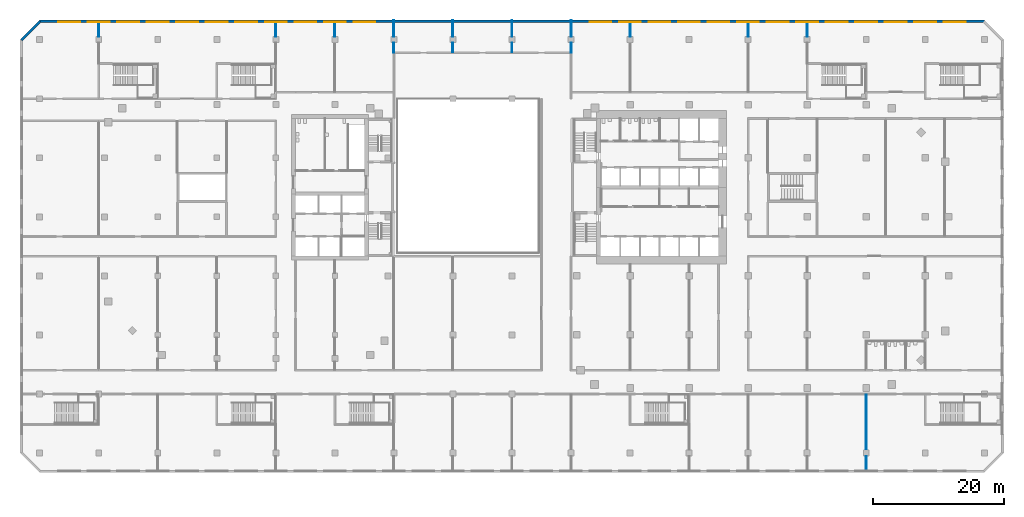
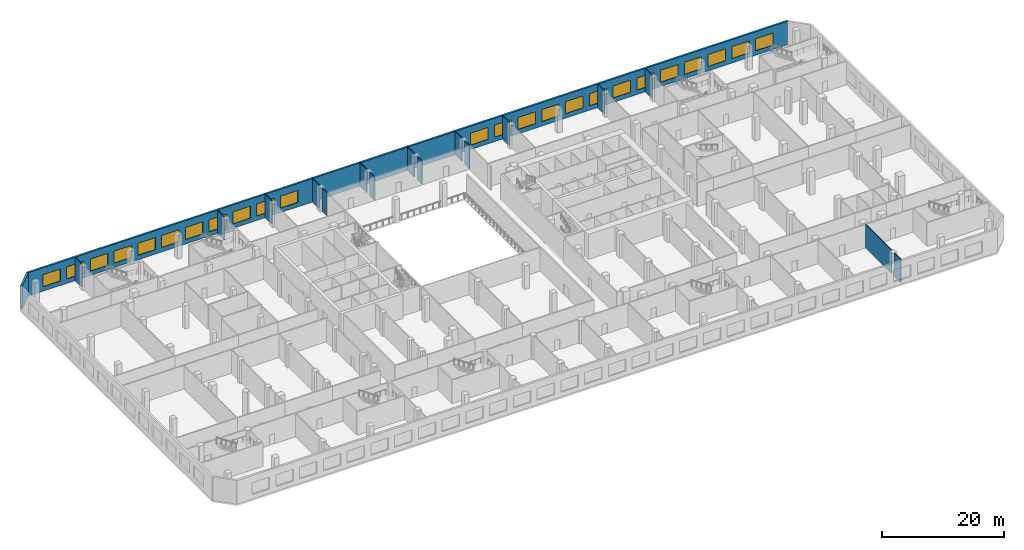
# One storey, part 12 of 21: 24 windows, 18 walls, 24 openings.
"""IFC4 building model written with IfcOpenShell, lengths in metres."""

from ifc_helpers import new_model, si_unit, direction, frame, frame_2d, origin, place, context, subcontext, project, spatial, rectangle, extrude, material, layer, layer_set, type_object, element, fill, save


model = new_model("IFC4")

# Units and contexts
model_context = context("Model", 3, precision=1e-05, world=origin(), true_north=direction((0.0, 1.0)))
body_context = subcontext(model_context, "Body", "Model", "MODEL_VIEW")
ifc_project = project(units=[si_unit("LENGTHUNIT", "METRE"), si_unit("AREAUNIT", "SQUARE_METRE"), si_unit("VOLUMEUNIT", "CUBIC_METRE"), si_unit("PLANEANGLEUNIT", "RADIAN"), si_unit("MASSUNIT", "GRAM", prefix="KILO")], contexts=[model_context])

# Site, building, storey
site_placement = place(None, origin())
site = spatial("IfcSite", under=ifc_project, at=site_placement, CompositionType="ELEMENT")
building_placement = place(site_placement, origin())
building = spatial("IfcBuilding", under=site, at=building_placement, Name="Cinnabar Reach Civic Tower", CompositionType="ELEMENT")
storey_placement = place(building_placement, frame((0.0, 0.0, 16.0)))
storey = spatial("IfcBuildingStorey", under=building, at=storey_placement, Name="L03", CompositionType="ELEMENT", Elevation=16.0)

# Wall
ifc_material_1 = material(Name="Facing brick with insulated backing", Category="masonry")
ifc_layer_1 = layer(ifc_material_1, 0.36)
ifc_layer_set_1 = layer_set([ifc_layer_1], Name="Brick corner wall")
wall_type_1 = type_object("IfcWallType", Name="Brick corner wall", PredefinedType="STANDARD", material=ifc_layer_set_1)
wall_1_placement = place(storey_placement, frame((-80.9611, 56.7843, 0.0), z_axis=(0.0, 0.0, 1.0), x_axis=(-0.707106781187, -0.707106781187, 0.0)))
element("IfcWall", 1, at=wall_1_placement, inside=storey, type_object=wall_type_1, Name="Brick corner wall", PredefinedType="STANDARD", context=body_context, shape_type="SweptSolid", body=[
    extrude(rectangle(XDim=3.9926, YDim=0.36, at=frame_2d((1.9963, 0.0))), origin(), (0.0, 0.0, 1.0), 4.7),
])

# Wall, openings, windows
ifc_layer_2 = layer(ifc_material_1, 0.36)
ifc_layer_set_2 = layer_set([ifc_layer_2], Name="Brick pier and spandrel wall")
wall_type_2 = type_object("IfcWallType", Name="Brick pier and spandrel wall", PredefinedType="STANDARD", material=ifc_layer_set_2)
wall_2_placement = place(storey_placement, frame((63.0, 56.82, 0.0), z_axis=(0.0, 0.0, 1.0), x_axis=(-1.0, 0.0, 0.0)))
wall_2 = element("IfcWall", 2, at=wall_2_placement, inside=storey, type_object=wall_type_2, Name="Brick facade wall", PredefinedType="STANDARD", context=body_context, shape_type="SweptSolid", body=[
    extrude(rectangle(XDim=144.0, YDim=0.36, at=frame_2d((72.0, 0.0))), origin(), (0.0, 0.0, 1.0), 4.7),
])
opening_1_placement = place(wall_2_placement, frame((2.85, 0.0, 0.9)))
opening_1 = element("IfcOpeningElement", 3, at=opening_1_placement, cuts=wall_2, Name="Opening W3057", PredefinedType="OPENING", context=body_context, shape_type="SweptSolid", body=[
    extrude(rectangle(XDim=3.3, YDim=2.4, at=frame_2d((1.65, 1.2))), frame((0.0, 0.19, 0.0), z_axis=(0.0, -1.0, 0.0), x_axis=(1.0, 0.0, 0.0)), (0.0, 0.0, 1.0), 0.38),
])
opening_2_placement = place(wall_2_placement, frame((7.35, 0.0, 0.9)))
opening_2 = element("IfcOpeningElement", 4, at=opening_2_placement, cuts=wall_2, Name="Opening W3058", PredefinedType="OPENING", context=body_context, shape_type="SweptSolid", body=[
    extrude(rectangle(XDim=3.3, YDim=2.4, at=frame_2d((1.65, 1.2))), frame((0.0, 0.19, 0.0), z_axis=(0.0, -1.0, 0.0), x_axis=(1.0, 0.0, 0.0)), (0.0, 0.0, 1.0), 0.38),
])
opening_3_placement = place(wall_2_placement, frame((11.85, 0.0, 0.9)))
opening_3 = element("IfcOpeningElement", 5, at=opening_3_placement, cuts=wall_2, Name="Opening W3059", PredefinedType="OPENING", context=body_context, shape_type="SweptSolid", body=[
    extrude(rectangle(XDim=3.3, YDim=2.4, at=frame_2d((1.65, 1.2))), frame((0.0, 0.19, 0.0), z_axis=(0.0, -1.0, 0.0), x_axis=(1.0, 0.0, 0.0)), (0.0, 0.0, 1.0), 0.38),
])
opening_4_placement = place(wall_2_placement, frame((16.35, 0.0, 0.9)))
opening_4 = element("IfcOpeningElement", 6, at=opening_4_placement, cuts=wall_2, Name="Opening W3060", PredefinedType="OPENING", context=body_context, shape_type="SweptSolid", body=[
    extrude(rectangle(XDim=3.3, YDim=2.4, at=frame_2d((1.65, 1.2))), frame((0.0, 0.19, 0.0), z_axis=(0.0, -1.0, 0.0), x_axis=(1.0, 0.0, 0.0)), (0.0, 0.0, 1.0), 0.38),
])
opening_5_placement = place(wall_2_placement, frame((20.85, 0.0, 0.9)))
opening_5 = element("IfcOpeningElement", 7, at=opening_5_placement, cuts=wall_2, Name="Opening W3061", PredefinedType="OPENING", context=body_context, shape_type="SweptSolid", body=[
    extrude(rectangle(XDim=3.3, YDim=2.4, at=frame_2d((1.65, 1.2))), frame((0.0, 0.19, 0.0), z_axis=(0.0, -1.0, 0.0), x_axis=(1.0, 0.0, 0.0)), (0.0, 0.0, 1.0), 0.38),
])
opening_6_placement = place(wall_2_placement, frame((25.35, 0.0, 0.9)))
opening_6 = element("IfcOpeningElement", 8, at=opening_6_placement, cuts=wall_2, Name="Opening W3062", PredefinedType="OPENING", context=body_context, shape_type="SweptSolid", body=[
    extrude(rectangle(XDim=3.3, YDim=2.4, at=frame_2d((1.65, 1.2))), frame((0.0, 0.19, 0.0), z_axis=(0.0, -1.0, 0.0), x_axis=(1.0, 0.0, 0.0)), (0.0, 0.0, 1.0), 0.38),
])
opening_7_placement = place(wall_2_placement, frame((29.85, 0.0, 0.9)))
opening_7 = element("IfcOpeningElement", 9, at=opening_7_placement, cuts=wall_2, Name="Opening W3063", PredefinedType="OPENING", context=body_context, shape_type="SweptSolid", body=[
    extrude(rectangle(XDim=3.3, YDim=2.4, at=frame_2d((1.65, 1.2))), frame((0.0, 0.19, 0.0), z_axis=(0.0, -1.0, 0.0), x_axis=(1.0, 0.0, 0.0)), (0.0, 0.0, 1.0), 0.38),
])
opening_8_placement = place(wall_2_placement, frame((34.35, 0.0, 0.9)))
opening_8 = element("IfcOpeningElement", 10, at=opening_8_placement, cuts=wall_2, Name="Opening W3064", PredefinedType="OPENING", context=body_context, shape_type="SweptSolid", body=[
    extrude(rectangle(XDim=3.3, YDim=2.4, at=frame_2d((1.65, 1.2))), frame((0.0, 0.19, 0.0), z_axis=(0.0, -1.0, 0.0), x_axis=(1.0, 0.0, 0.0)), (0.0, 0.0, 1.0), 0.38),
])
opening_9_placement = place(wall_2_placement, frame((38.85, 0.0, 0.9)))
opening_9 = element("IfcOpeningElement", 11, at=opening_9_placement, cuts=wall_2, Name="Opening W3065", PredefinedType="OPENING", context=body_context, shape_type="SweptSolid", body=[
    extrude(rectangle(XDim=3.3, YDim=2.4, at=frame_2d((1.65, 1.2))), frame((0.0, 0.19, 0.0), z_axis=(0.0, -1.0, 0.0), x_axis=(1.0, 0.0, 0.0)), (0.0, 0.0, 1.0), 0.38),
])
opening_10_placement = place(wall_2_placement, frame((43.35, 0.0, 0.9)))
opening_10 = element("IfcOpeningElement", 12, at=opening_10_placement, cuts=wall_2, Name="Opening W3066", PredefinedType="OPENING", context=body_context, shape_type="SweptSolid", body=[
    extrude(rectangle(XDim=3.3, YDim=2.4, at=frame_2d((1.65, 1.2))), frame((0.0, 0.19, 0.0), z_axis=(0.0, -1.0, 0.0), x_axis=(1.0, 0.0, 0.0)), (0.0, 0.0, 1.0), 0.38),
])
opening_11_placement = place(wall_2_placement, frame((47.85, 0.0, 0.9)))
opening_11 = element("IfcOpeningElement", 13, at=opening_11_placement, cuts=wall_2, Name="Opening W3067", PredefinedType="OPENING", context=body_context, shape_type="SweptSolid", body=[
    extrude(rectangle(XDim=3.3, YDim=2.4, at=frame_2d((1.65, 1.2))), frame((0.0, 0.19, 0.0), z_axis=(0.0, -1.0, 0.0), x_axis=(1.0, 0.0, 0.0)), (0.0, 0.0, 1.0), 0.38),
])
opening_12_placement = place(wall_2_placement, frame((52.35, 0.0, 0.9)))
opening_12 = element("IfcOpeningElement", 14, at=opening_12_placement, cuts=wall_2, Name="Opening W3068", PredefinedType="OPENING", context=body_context, shape_type="SweptSolid", body=[
    extrude(rectangle(XDim=3.3, YDim=2.4, at=frame_2d((1.65, 1.2))), frame((0.0, 0.19, 0.0), z_axis=(0.0, -1.0, 0.0), x_axis=(1.0, 0.0, 0.0)), (0.0, 0.0, 1.0), 0.38),
])
opening_13_placement = place(wall_2_placement, frame((56.85, 0.0, 0.9)))
opening_13 = element("IfcOpeningElement", 15, at=opening_13_placement, cuts=wall_2, Name="Opening W3069", PredefinedType="OPENING", context=body_context, shape_type="SweptSolid", body=[
    extrude(rectangle(XDim=3.3, YDim=2.4, at=frame_2d((1.65, 1.2))), frame((0.0, 0.19, 0.0), z_axis=(0.0, -1.0, 0.0), x_axis=(1.0, 0.0, 0.0)), (0.0, 0.0, 1.0), 0.38),
])
opening_14_placement = place(wall_2_placement, frame((92.85, 0.0, 0.9)))
opening_14 = element("IfcOpeningElement", 16, at=opening_14_placement, cuts=wall_2, Name="Opening W3070", PredefinedType="OPENING", context=body_context, shape_type="SweptSolid", body=[
    extrude(rectangle(XDim=3.3, YDim=2.4, at=frame_2d((1.65, 1.2))), frame((0.0, 0.19, 0.0), z_axis=(0.0, -1.0, 0.0), x_axis=(1.0, 0.0, 0.0)), (0.0, 0.0, 1.0), 0.38),
])
opening_15_placement = place(wall_2_placement, frame((97.35, 0.0, 0.9)))
opening_15 = element("IfcOpeningElement", 17, at=opening_15_placement, cuts=wall_2, Name="Opening W3071", PredefinedType="OPENING", context=body_context, shape_type="SweptSolid", body=[
    extrude(rectangle(XDim=3.3, YDim=2.4, at=frame_2d((1.65, 1.2))), frame((0.0, 0.19, 0.0), z_axis=(0.0, -1.0, 0.0), x_axis=(1.0, 0.0, 0.0)), (0.0, 0.0, 1.0), 0.38),
])
opening_16_placement = place(wall_2_placement, frame((101.85, 0.0, 0.9)))
opening_16 = element("IfcOpeningElement", 18, at=opening_16_placement, cuts=wall_2, Name="Opening W3072", PredefinedType="OPENING", context=body_context, shape_type="SweptSolid", body=[
    extrude(rectangle(XDim=3.3, YDim=2.4, at=frame_2d((1.65, 1.2))), frame((0.0, 0.19, 0.0), z_axis=(0.0, -1.0, 0.0), x_axis=(1.0, 0.0, 0.0)), (0.0, 0.0, 1.0), 0.38),
])
opening_17_placement = place(wall_2_placement, frame((106.35, 0.0, 0.9)))
opening_17 = element("IfcOpeningElement", 19, at=opening_17_placement, cuts=wall_2, Name="Opening W3073", PredefinedType="OPENING", context=body_context, shape_type="SweptSolid", body=[
    extrude(rectangle(XDim=3.3, YDim=2.4, at=frame_2d((1.65, 1.2))), frame((0.0, 0.19, 0.0), z_axis=(0.0, -1.0, 0.0), x_axis=(1.0, 0.0, 0.0)), (0.0, 0.0, 1.0), 0.38),
])
opening_18_placement = place(wall_2_placement, frame((110.85, 0.0, 0.9)))
opening_18 = element("IfcOpeningElement", 20, at=opening_18_placement, cuts=wall_2, Name="Opening W3074", PredefinedType="OPENING", context=body_context, shape_type="SweptSolid", body=[
    extrude(rectangle(XDim=3.3, YDim=2.4, at=frame_2d((1.65, 1.2))), frame((0.0, 0.19, 0.0), z_axis=(0.0, -1.0, 0.0), x_axis=(1.0, 0.0, 0.0)), (0.0, 0.0, 1.0), 0.38),
])
opening_19_placement = place(wall_2_placement, frame((115.35, 0.0, 0.9)))
opening_19 = element("IfcOpeningElement", 21, at=opening_19_placement, cuts=wall_2, Name="Opening W3075", PredefinedType="OPENING", context=body_context, shape_type="SweptSolid", body=[
    extrude(rectangle(XDim=3.3, YDim=2.4, at=frame_2d((1.65, 1.2))), frame((0.0, 0.19, 0.0), z_axis=(0.0, -1.0, 0.0), x_axis=(1.0, 0.0, 0.0)), (0.0, 0.0, 1.0), 0.38),
])
opening_20_placement = place(wall_2_placement, frame((119.85, 0.0, 0.9)))
opening_20 = element("IfcOpeningElement", 22, at=opening_20_placement, cuts=wall_2, Name="Opening W3076", PredefinedType="OPENING", context=body_context, shape_type="SweptSolid", body=[
    extrude(rectangle(XDim=3.3, YDim=2.4, at=frame_2d((1.65, 1.2))), frame((0.0, 0.19, 0.0), z_axis=(0.0, -1.0, 0.0), x_axis=(1.0, 0.0, 0.0)), (0.0, 0.0, 1.0), 0.38),
])
opening_21_placement = place(wall_2_placement, frame((124.35, 0.0, 0.9)))
opening_21 = element("IfcOpeningElement", 23, at=opening_21_placement, cuts=wall_2, Name="Opening W3077", PredefinedType="OPENING", context=body_context, shape_type="SweptSolid", body=[
    extrude(rectangle(XDim=3.3, YDim=2.4, at=frame_2d((1.65, 1.2))), frame((0.0, 0.19, 0.0), z_axis=(0.0, -1.0, 0.0), x_axis=(1.0, 0.0, 0.0)), (0.0, 0.0, 1.0), 0.38),
])
opening_22_placement = place(wall_2_placement, frame((128.85, 0.0, 0.9)))
opening_22 = element("IfcOpeningElement", 24, at=opening_22_placement, cuts=wall_2, Name="Opening W3078", PredefinedType="OPENING", context=body_context, shape_type="SweptSolid", body=[
    extrude(rectangle(XDim=3.3, YDim=2.4, at=frame_2d((1.65, 1.2))), frame((0.0, 0.19, 0.0), z_axis=(0.0, -1.0, 0.0), x_axis=(1.0, 0.0, 0.0)), (0.0, 0.0, 1.0), 0.38),
])
opening_23_placement = place(wall_2_placement, frame((133.35, 0.0, 0.9)))
opening_23 = element("IfcOpeningElement", 25, at=opening_23_placement, cuts=wall_2, Name="Opening W3079", PredefinedType="OPENING", context=body_context, shape_type="SweptSolid", body=[
    extrude(rectangle(XDim=3.3, YDim=2.4, at=frame_2d((1.65, 1.2))), frame((0.0, 0.19, 0.0), z_axis=(0.0, -1.0, 0.0), x_axis=(1.0, 0.0, 0.0)), (0.0, 0.0, 1.0), 0.38),
])
opening_24_placement = place(wall_2_placement, frame((137.85, 0.0, 0.9)))
opening_24 = element("IfcOpeningElement", 26, at=opening_24_placement, cuts=wall_2, Name="Opening W3080", PredefinedType="OPENING", context=body_context, shape_type="SweptSolid", body=[
    extrude(rectangle(XDim=3.3, YDim=2.4, at=frame_2d((1.65, 1.2))), frame((0.0, 0.19, 0.0), z_axis=(0.0, -1.0, 0.0), x_axis=(1.0, 0.0, 0.0)), (0.0, 0.0, 1.0), 0.38),
])
ifc_material_2 = material(Name="Clear double glazing in aluminium frame", Category="aluminium")
window_type = type_object("IfcWindowType", Name="Podium window P", PartitioningType="SINGLE_PANEL", PredefinedType="WINDOW", material=ifc_material_2)
window_1_placement = place(opening_1_placement, origin())
window_1 = element("IfcWindow", 27, at=window_1_placement, inside=storey, type_object=window_type, Name="Window north face", OverallHeight=2.4, OverallWidth=3.3, PartitioningType="SINGLE_PANEL", PredefinedType="WINDOW", context=body_context, shape_type="SweptSolid", body=[
    extrude(rectangle(XDim=3.3, YDim=2.4, at=frame_2d((1.65, 1.2))), frame((0.0, 0.13, 0.0), z_axis=(0.0, -1.0, 0.0), x_axis=(1.0, 0.0, 0.0)), (0.0, 0.0, 1.0), 0.06),
])
fill(opening_1, window_1)
window_2_placement = place(opening_2_placement, origin())
window_2 = element("IfcWindow", 28, at=window_2_placement, inside=storey, type_object=window_type, Name="Window north face", OverallHeight=2.4, OverallWidth=3.3, PartitioningType="SINGLE_PANEL", PredefinedType="WINDOW", context=body_context, shape_type="SweptSolid", body=[
    extrude(rectangle(XDim=3.3, YDim=2.4, at=frame_2d((1.65, 1.2))), frame((0.0, 0.13, 0.0), z_axis=(0.0, -1.0, 0.0), x_axis=(1.0, 0.0, 0.0)), (0.0, 0.0, 1.0), 0.06),
])
fill(opening_2, window_2)
window_3_placement = place(opening_3_placement, origin())
window_3 = element("IfcWindow", 29, at=window_3_placement, inside=storey, type_object=window_type, Name="Window north face", OverallHeight=2.4, OverallWidth=3.3, PartitioningType="SINGLE_PANEL", PredefinedType="WINDOW", context=body_context, shape_type="SweptSolid", body=[
    extrude(rectangle(XDim=3.3, YDim=2.4, at=frame_2d((1.65, 1.2))), frame((0.0, 0.13, 0.0), z_axis=(0.0, -1.0, 0.0), x_axis=(1.0, 0.0, 0.0)), (0.0, 0.0, 1.0), 0.06),
])
fill(opening_3, window_3)
window_4_placement = place(opening_4_placement, origin())
window_4 = element("IfcWindow", 30, at=window_4_placement, inside=storey, type_object=window_type, Name="Window north face", OverallHeight=2.4, OverallWidth=3.3, PartitioningType="SINGLE_PANEL", PredefinedType="WINDOW", context=body_context, shape_type="SweptSolid", body=[
    extrude(rectangle(XDim=3.3, YDim=2.4, at=frame_2d((1.65, 1.2))), frame((0.0, 0.13, 0.0), z_axis=(0.0, -1.0, 0.0), x_axis=(1.0, 0.0, 0.0)), (0.0, 0.0, 1.0), 0.06),
])
fill(opening_4, window_4)
window_5_placement = place(opening_5_placement, origin())
window_5 = element("IfcWindow", 31, at=window_5_placement, inside=storey, type_object=window_type, Name="Window north face", OverallHeight=2.4, OverallWidth=3.3, PartitioningType="SINGLE_PANEL", PredefinedType="WINDOW", context=body_context, shape_type="SweptSolid", body=[
    extrude(rectangle(XDim=3.3, YDim=2.4, at=frame_2d((1.65, 1.2))), frame((0.0, 0.13, 0.0), z_axis=(0.0, -1.0, 0.0), x_axis=(1.0, 0.0, 0.0)), (0.0, 0.0, 1.0), 0.06),
])
fill(opening_5, window_5)
window_6_placement = place(opening_6_placement, origin())
window_6 = element("IfcWindow", 32, at=window_6_placement, inside=storey, type_object=window_type, Name="Window north face", OverallHeight=2.4, OverallWidth=3.3, PartitioningType="SINGLE_PANEL", PredefinedType="WINDOW", context=body_context, shape_type="SweptSolid", body=[
    extrude(rectangle(XDim=3.3, YDim=2.4, at=frame_2d((1.65, 1.2))), frame((0.0, 0.13, 0.0), z_axis=(0.0, -1.0, 0.0), x_axis=(1.0, 0.0, 0.0)), (0.0, 0.0, 1.0), 0.06),
])
fill(opening_6, window_6)
window_7_placement = place(opening_7_placement, origin())
window_7 = element("IfcWindow", 33, at=window_7_placement, inside=storey, type_object=window_type, Name="Window north face", OverallHeight=2.4, OverallWidth=3.3, PartitioningType="SINGLE_PANEL", PredefinedType="WINDOW", context=body_context, shape_type="SweptSolid", body=[
    extrude(rectangle(XDim=3.3, YDim=2.4, at=frame_2d((1.65, 1.2))), frame((0.0, 0.13, 0.0), z_axis=(0.0, -1.0, 0.0), x_axis=(1.0, 0.0, 0.0)), (0.0, 0.0, 1.0), 0.06),
])
fill(opening_7, window_7)
window_8_placement = place(opening_8_placement, origin())
window_8 = element("IfcWindow", 34, at=window_8_placement, inside=storey, type_object=window_type, Name="Window north face", OverallHeight=2.4, OverallWidth=3.3, PartitioningType="SINGLE_PANEL", PredefinedType="WINDOW", context=body_context, shape_type="SweptSolid", body=[
    extrude(rectangle(XDim=3.3, YDim=2.4, at=frame_2d((1.65, 1.2))), frame((0.0, 0.13, 0.0), z_axis=(0.0, -1.0, 0.0), x_axis=(1.0, 0.0, 0.0)), (0.0, 0.0, 1.0), 0.06),
])
fill(opening_8, window_8)
window_9_placement = place(opening_9_placement, origin())
window_9 = element("IfcWindow", 35, at=window_9_placement, inside=storey, type_object=window_type, Name="Window north face", OverallHeight=2.4, OverallWidth=3.3, PartitioningType="SINGLE_PANEL", PredefinedType="WINDOW", context=body_context, shape_type="SweptSolid", body=[
    extrude(rectangle(XDim=3.3, YDim=2.4, at=frame_2d((1.65, 1.2))), frame((0.0, 0.13, 0.0), z_axis=(0.0, -1.0, 0.0), x_axis=(1.0, 0.0, 0.0)), (0.0, 0.0, 1.0), 0.06),
])
fill(opening_9, window_9)
window_10_placement = place(opening_10_placement, origin())
window_10 = element("IfcWindow", 36, at=window_10_placement, inside=storey, type_object=window_type, Name="Window north face", OverallHeight=2.4, OverallWidth=3.3, PartitioningType="SINGLE_PANEL", PredefinedType="WINDOW", context=body_context, shape_type="SweptSolid", body=[
    extrude(rectangle(XDim=3.3, YDim=2.4, at=frame_2d((1.65, 1.2))), frame((0.0, 0.13, 0.0), z_axis=(0.0, -1.0, 0.0), x_axis=(1.0, 0.0, 0.0)), (0.0, 0.0, 1.0), 0.06),
])
fill(opening_10, window_10)
window_11_placement = place(opening_11_placement, origin())
window_11 = element("IfcWindow", 37, at=window_11_placement, inside=storey, type_object=window_type, Name="Window north face", OverallHeight=2.4, OverallWidth=3.3, PartitioningType="SINGLE_PANEL", PredefinedType="WINDOW", context=body_context, shape_type="SweptSolid", body=[
    extrude(rectangle(XDim=3.3, YDim=2.4, at=frame_2d((1.65, 1.2))), frame((0.0, 0.13, 0.0), z_axis=(0.0, -1.0, 0.0), x_axis=(1.0, 0.0, 0.0)), (0.0, 0.0, 1.0), 0.06),
])
fill(opening_11, window_11)
window_12_placement = place(opening_12_placement, origin())
window_12 = element("IfcWindow", 38, at=window_12_placement, inside=storey, type_object=window_type, Name="Window north face", OverallHeight=2.4, OverallWidth=3.3, PartitioningType="SINGLE_PANEL", PredefinedType="WINDOW", context=body_context, shape_type="SweptSolid", body=[
    extrude(rectangle(XDim=3.3, YDim=2.4, at=frame_2d((1.65, 1.2))), frame((0.0, 0.13, 0.0), z_axis=(0.0, -1.0, 0.0), x_axis=(1.0, 0.0, 0.0)), (0.0, 0.0, 1.0), 0.06),
])
fill(opening_12, window_12)
window_13_placement = place(opening_13_placement, origin())
window_13 = element("IfcWindow", 39, at=window_13_placement, inside=storey, type_object=window_type, Name="Window north face", OverallHeight=2.4, OverallWidth=3.3, PartitioningType="SINGLE_PANEL", PredefinedType="WINDOW", context=body_context, shape_type="SweptSolid", body=[
    extrude(rectangle(XDim=3.3, YDim=2.4, at=frame_2d((1.65, 1.2))), frame((0.0, 0.13, 0.0), z_axis=(0.0, -1.0, 0.0), x_axis=(1.0, 0.0, 0.0)), (0.0, 0.0, 1.0), 0.06),
])
fill(opening_13, window_13)
window_14_placement = place(opening_14_placement, origin())
window_14 = element("IfcWindow", 40, at=window_14_placement, inside=storey, type_object=window_type, Name="Window north face", OverallHeight=2.4, OverallWidth=3.3, PartitioningType="SINGLE_PANEL", PredefinedType="WINDOW", context=body_context, shape_type="SweptSolid", body=[
    extrude(rectangle(XDim=3.3, YDim=2.4, at=frame_2d((1.65, 1.2))), frame((0.0, 0.13, 0.0), z_axis=(0.0, -1.0, 0.0), x_axis=(1.0, 0.0, 0.0)), (0.0, 0.0, 1.0), 0.06),
])
fill(opening_14, window_14)
window_15_placement = place(opening_15_placement, origin())
window_15 = element("IfcWindow", 41, at=window_15_placement, inside=storey, type_object=window_type, Name="Window north face", OverallHeight=2.4, OverallWidth=3.3, PartitioningType="SINGLE_PANEL", PredefinedType="WINDOW", context=body_context, shape_type="SweptSolid", body=[
    extrude(rectangle(XDim=3.3, YDim=2.4, at=frame_2d((1.65, 1.2))), frame((0.0, 0.13, 0.0), z_axis=(0.0, -1.0, 0.0), x_axis=(1.0, 0.0, 0.0)), (0.0, 0.0, 1.0), 0.06),
])
fill(opening_15, window_15)
window_16_placement = place(opening_16_placement, origin())
window_16 = element("IfcWindow", 42, at=window_16_placement, inside=storey, type_object=window_type, Name="Window north face", OverallHeight=2.4, OverallWidth=3.3, PartitioningType="SINGLE_PANEL", PredefinedType="WINDOW", context=body_context, shape_type="SweptSolid", body=[
    extrude(rectangle(XDim=3.3, YDim=2.4, at=frame_2d((1.65, 1.2))), frame((0.0, 0.13, 0.0), z_axis=(0.0, -1.0, 0.0), x_axis=(1.0, 0.0, 0.0)), (0.0, 0.0, 1.0), 0.06),
])
fill(opening_16, window_16)
window_17_placement = place(opening_17_placement, origin())
window_17 = element("IfcWindow", 43, at=window_17_placement, inside=storey, type_object=window_type, Name="Window north face", OverallHeight=2.4, OverallWidth=3.3, PartitioningType="SINGLE_PANEL", PredefinedType="WINDOW", context=body_context, shape_type="SweptSolid", body=[
    extrude(rectangle(XDim=3.3, YDim=2.4, at=frame_2d((1.65, 1.2))), frame((0.0, 0.13, 0.0), z_axis=(0.0, -1.0, 0.0), x_axis=(1.0, 0.0, 0.0)), (0.0, 0.0, 1.0), 0.06),
])
fill(opening_17, window_17)
window_18_placement = place(opening_18_placement, origin())
window_18 = element("IfcWindow", 44, at=window_18_placement, inside=storey, type_object=window_type, Name="Window north face", OverallHeight=2.4, OverallWidth=3.3, PartitioningType="SINGLE_PANEL", PredefinedType="WINDOW", context=body_context, shape_type="SweptSolid", body=[
    extrude(rectangle(XDim=3.3, YDim=2.4, at=frame_2d((1.65, 1.2))), frame((0.0, 0.13, 0.0), z_axis=(0.0, -1.0, 0.0), x_axis=(1.0, 0.0, 0.0)), (0.0, 0.0, 1.0), 0.06),
])
fill(opening_18, window_18)
window_19_placement = place(opening_19_placement, origin())
window_19 = element("IfcWindow", 45, at=window_19_placement, inside=storey, type_object=window_type, Name="Window north face", OverallHeight=2.4, OverallWidth=3.3, PartitioningType="SINGLE_PANEL", PredefinedType="WINDOW", context=body_context, shape_type="SweptSolid", body=[
    extrude(rectangle(XDim=3.3, YDim=2.4, at=frame_2d((1.65, 1.2))), frame((0.0, 0.13, 0.0), z_axis=(0.0, -1.0, 0.0), x_axis=(1.0, 0.0, 0.0)), (0.0, 0.0, 1.0), 0.06),
])
fill(opening_19, window_19)
window_20_placement = place(opening_20_placement, origin())
window_20 = element("IfcWindow", 46, at=window_20_placement, inside=storey, type_object=window_type, Name="Window north face", OverallHeight=2.4, OverallWidth=3.3, PartitioningType="SINGLE_PANEL", PredefinedType="WINDOW", context=body_context, shape_type="SweptSolid", body=[
    extrude(rectangle(XDim=3.3, YDim=2.4, at=frame_2d((1.65, 1.2))), frame((0.0, 0.13, 0.0), z_axis=(0.0, -1.0, 0.0), x_axis=(1.0, 0.0, 0.0)), (0.0, 0.0, 1.0), 0.06),
])
fill(opening_20, window_20)
window_21_placement = place(opening_21_placement, origin())
window_21 = element("IfcWindow", 47, at=window_21_placement, inside=storey, type_object=window_type, Name="Window north face", OverallHeight=2.4, OverallWidth=3.3, PartitioningType="SINGLE_PANEL", PredefinedType="WINDOW", context=body_context, shape_type="SweptSolid", body=[
    extrude(rectangle(XDim=3.3, YDim=2.4, at=frame_2d((1.65, 1.2))), frame((0.0, 0.13, 0.0), z_axis=(0.0, -1.0, 0.0), x_axis=(1.0, 0.0, 0.0)), (0.0, 0.0, 1.0), 0.06),
])
fill(opening_21, window_21)
window_22_placement = place(opening_22_placement, origin())
window_22 = element("IfcWindow", 48, at=window_22_placement, inside=storey, type_object=window_type, Name="Window north face", OverallHeight=2.4, OverallWidth=3.3, PartitioningType="SINGLE_PANEL", PredefinedType="WINDOW", context=body_context, shape_type="SweptSolid", body=[
    extrude(rectangle(XDim=3.3, YDim=2.4, at=frame_2d((1.65, 1.2))), frame((0.0, 0.13, 0.0), z_axis=(0.0, -1.0, 0.0), x_axis=(1.0, 0.0, 0.0)), (0.0, 0.0, 1.0), 0.06),
])
fill(opening_22, window_22)
window_23_placement = place(opening_23_placement, origin())
window_23 = element("IfcWindow", 49, at=window_23_placement, inside=storey, type_object=window_type, Name="Window north face", OverallHeight=2.4, OverallWidth=3.3, PartitioningType="SINGLE_PANEL", PredefinedType="WINDOW", context=body_context, shape_type="SweptSolid", body=[
    extrude(rectangle(XDim=3.3, YDim=2.4, at=frame_2d((1.65, 1.2))), frame((0.0, 0.13, 0.0), z_axis=(0.0, -1.0, 0.0), x_axis=(1.0, 0.0, 0.0)), (0.0, 0.0, 1.0), 0.06),
])
fill(opening_23, window_23)
window_24_placement = place(opening_24_placement, origin())
window_24 = element("IfcWindow", 50, at=window_24_placement, inside=storey, type_object=window_type, Name="Window north face", OverallHeight=2.4, OverallWidth=3.3, PartitioningType="SINGLE_PANEL", PredefinedType="WINDOW", context=body_context, shape_type="SweptSolid", body=[
    extrude(rectangle(XDim=3.3, YDim=2.4, at=frame_2d((1.65, 1.2))), frame((0.0, 0.13, 0.0), z_axis=(0.0, -1.0, 0.0), x_axis=(1.0, 0.0, 0.0)), (0.0, 0.0, 1.0), 0.06),
])
fill(opening_24, window_24)

# Walls
ifc_material_3 = material(Name="Gypsum board on steel studs", Category="steel")
ifc_layer_3 = layer(ifc_material_3, 0.15)
ifc_layer_set_3 = layer_set([ifc_layer_3], Name="Podium partition wall 150 EI 90")
wall_type_3 = type_object("IfcWallType", Name="Podium partition wall 150 EI 90", PredefinedType="PARTITIONING", material=ifc_layer_set_3)
wall_3_placement = place(storey_placement, frame((-18.0, 52.1, 0.0), z_axis=(0.0, 0.0, 1.0), x_axis=(0.0, 1.0, 0.0)))
element("IfcWall", 51, at=wall_3_placement, inside=storey, type_object=wall_type_3, Name="Wall L03 136", PredefinedType="PARTITIONING", context=body_context, shape_type="SweptSolid", body=[
    extrude(rectangle(XDim=1.43, YDim=0.15, at=frame_2d((0.715, 0.0))), origin(), (0.0, 0.0, 1.0), 4.7),
])
wall_4_placement = place(storey_placement, frame((-18.0, 54.47, 0.0), z_axis=(0.0, 0.0, 1.0), x_axis=(0.0, 1.0, 0.0)))
element("IfcWall", 52, at=wall_4_placement, inside=storey, type_object=wall_type_3, Name="Wall L03 137", PredefinedType="PARTITIONING", context=body_context, shape_type="SweptSolid", body=[
    extrude(rectangle(XDim=2.53, YDim=0.15, at=frame_2d((1.265, 0.0))), origin(), (0.0, 0.0, 1.0), 4.7),
])
wall_5_placement = place(storey_placement, frame((-27.0, 52.0, 0.0), z_axis=(0.0, 0.0, 1.0), x_axis=(0.0, 1.0, 0.0)))
element("IfcWall", 53, at=wall_5_placement, inside=storey, type_object=wall_type_3, Name="Wall L03 138", PredefinedType="PARTITIONING", context=body_context, shape_type="SweptSolid", body=[
    extrude(rectangle(XDim=1.53, YDim=0.15, at=frame_2d((0.765, 0.0))), origin(), (0.0, 0.0, 1.0), 4.7),
])
wall_6_placement = place(storey_placement, frame((-27.0, 54.47, 0.0), z_axis=(0.0, 0.0, 1.0), x_axis=(0.0, 1.0, 0.0)))
element("IfcWall", 54, at=wall_6_placement, inside=storey, type_object=wall_type_3, Name="Wall L03 139", PredefinedType="PARTITIONING", context=body_context, shape_type="SweptSolid", body=[
    extrude(rectangle(XDim=2.53, YDim=0.15, at=frame_2d((1.265, 0.0))), origin(), (0.0, 0.0, 1.0), 4.7),
])
wall_7_placement = place(storey_placement, frame((-9.0, 52.1, 0.0), z_axis=(0.0, 0.0, 1.0), x_axis=(0.0, 1.0, 0.0)))
element("IfcWall", 55, at=wall_7_placement, inside=storey, type_object=wall_type_3, Name="Wall L03 140", PredefinedType="PARTITIONING", context=body_context, shape_type="SweptSolid", body=[
    extrude(rectangle(XDim=1.43, YDim=0.15, at=frame_2d((0.715, 0.0))), origin(), (0.0, 0.0, 1.0), 4.7),
])
wall_8_placement = place(storey_placement, frame((-9.0, 54.47, 0.0), z_axis=(0.0, 0.0, 1.0), x_axis=(0.0, 1.0, 0.0)))
element("IfcWall", 56, at=wall_8_placement, inside=storey, type_object=wall_type_3, Name="Wall L03 141", PredefinedType="PARTITIONING", context=body_context, shape_type="SweptSolid", body=[
    extrude(rectangle(XDim=2.53, YDim=0.15, at=frame_2d((1.265, 0.0))), origin(), (0.0, 0.0, 1.0), 4.7),
])
wall_9_placement = place(storey_placement, frame((0.0, 52.0, 0.0), z_axis=(0.0, 0.0, 1.0), x_axis=(0.0, 1.0, 0.0)))
element("IfcWall", 57, at=wall_9_placement, inside=storey, type_object=wall_type_3, Name="Wall L03 142", PredefinedType="PARTITIONING", context=body_context, shape_type="SweptSolid", body=[
    extrude(rectangle(XDim=1.53, YDim=0.15, at=frame_2d((0.765, 0.0))), origin(), (0.0, 0.0, 1.0), 4.7),
])
wall_10_placement = place(storey_placement, frame((0.0, 54.47, 0.0), z_axis=(0.0, 0.0, 1.0), x_axis=(0.0, 1.0, 0.0)))
element("IfcWall", 58, at=wall_10_placement, inside=storey, type_object=wall_type_3, Name="Wall L03 143", PredefinedType="PARTITIONING", context=body_context, shape_type="SweptSolid", body=[
    extrude(rectangle(XDim=2.53, YDim=0.15, at=frame_2d((1.265, 0.0))), origin(), (0.0, 0.0, 1.0), 4.7),
])
wall_11_placement = place(storey_placement, frame((45.0, -11.6, 0.0), z_axis=(0.0, 0.0, 1.0), x_axis=(0.0, 1.0, 0.0)))
element("IfcWall", 59, at=wall_11_placement, inside=storey, type_object=wall_type_3, Name="Wall L03 166", PredefinedType="PARTITIONING", context=body_context, shape_type="SweptSolid", body=[
    extrude(rectangle(XDim=2.13, YDim=0.15, at=frame_2d((1.065, 0.0))), origin(), (0.0, 0.0, 1.0), 4.7),
])
wall_12_placement = place(storey_placement, frame((45.0, -8.53, 0.0), z_axis=(0.0, 0.0, 1.0), x_axis=(0.0, 1.0, 0.0)))
element("IfcWall", 60, at=wall_12_placement, inside=storey, type_object=wall_type_3, Name="Wall L03 167", PredefinedType="PARTITIONING", context=body_context, shape_type="SweptSolid", body=[
    extrude(rectangle(XDim=8.43, YDim=0.15, at=frame_2d((4.215, 0.0))), origin(), (0.0, 0.0, 1.0), 4.7),
])
for number, where, z_axis, x_axis, name in (
    (61, (-72.0, 54.47, 0.0), (0.0, 0.0, 1.0), (0.0, 1.0, 0.0), "Wall L03 213"),
    (62, (-45.0, 54.47, 0.0), (0.0, 0.0, 1.0), (0.0, 1.0, 0.0), "Wall L03 215"),
    (63, (-36.0, 54.47, 0.0), (0.0, 0.0, 1.0), (0.0, 1.0, 0.0), "Wall L03 217"),
    (64, (9.0, 54.47, 0.0), (0.0, 0.0, 1.0), (0.0, 1.0, 0.0), "Wall L03 219"),
    (65, (27.0, 54.47, 0.0), (0.0, 0.0, 1.0), (0.0, 1.0, 0.0), "Wall L03 221"),
    (66, (36.0, 54.47, 0.0), (0.0, 0.0, 1.0), (0.0, 1.0, 0.0), "Wall L03 223"),
):
    element("IfcWall", number, at=place(storey_placement, frame(where, z_axis=z_axis, x_axis=x_axis)), inside=storey, type_object=wall_type_3, Name=name, PredefinedType="PARTITIONING", context=body_context, shape_type="SweptSolid", body=[
        extrude(rectangle(XDim=2.13, YDim=0.15, at=frame_2d((1.065, 0.0))), origin(), (0.0, 0.0, 1.0), 4.7),
    ])

save(model, "model.ifc")
